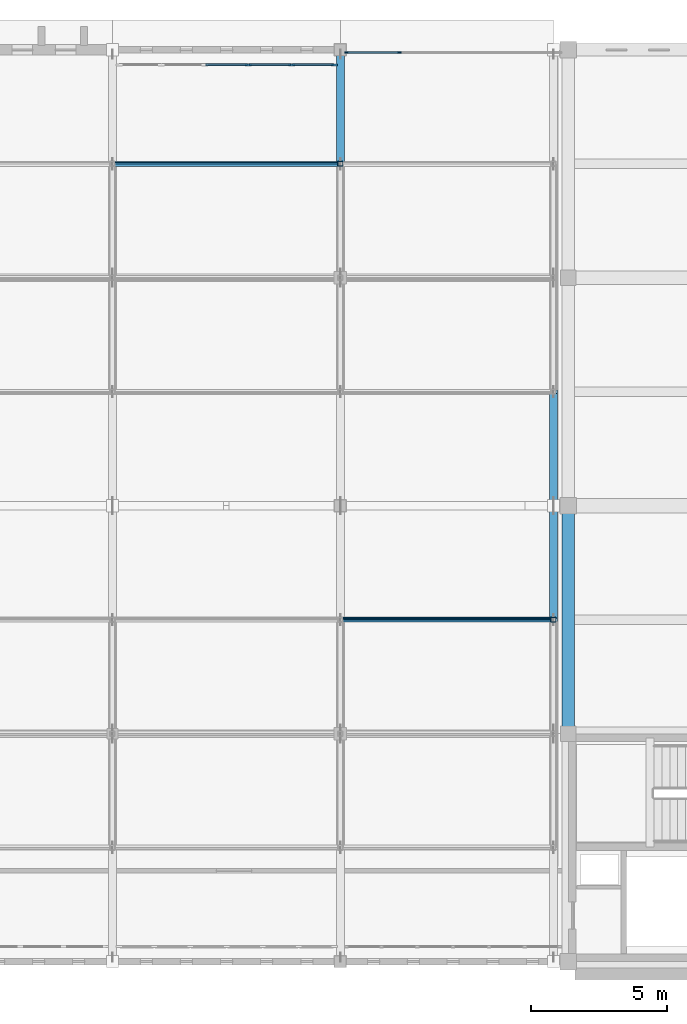
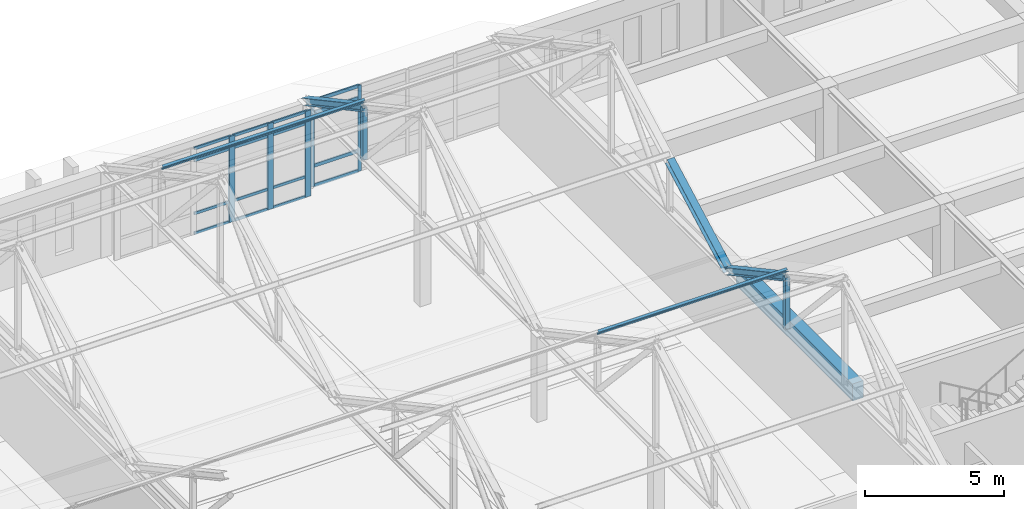
# One storey, part 39 of 110: 28 members, 1 beam, 2 elements without a shape of their own.
"""IFC4 building model written with IfcOpenShell, lengths in metres."""

from ifc_helpers import new_model, si_unit, direction, frame, origin, origin_2d, place, context, subcontext, project, spatial, rectangle, hollow_rectangle, i_section, extrude, material, layer, layer_set, material_profile, profile_set, type_object, element, aggregate, save


model = new_model("IFC4")

# Units and contexts
model_context = context("Model", 3, precision=1e-05, world=origin(), true_north=direction((0.0, 1.0)))
body_context = subcontext(model_context, "Body", "Model", "MODEL_VIEW")
ifc_project = project(units=[si_unit("LENGTHUNIT", "METRE"), si_unit("AREAUNIT", "SQUARE_METRE"), si_unit("VOLUMEUNIT", "CUBIC_METRE"), si_unit("PLANEANGLEUNIT", "RADIAN"), si_unit("MASSUNIT", "GRAM", prefix="KILO")], contexts=[model_context])

# Site, building, storey
site_placement = place(None, origin())
site = spatial("IfcSite", under=ifc_project, at=site_placement, CompositionType="ELEMENT")
building_placement = place(site_placement, origin())
building = spatial("IfcBuilding", under=site, at=building_placement, Name="Kveldsbrygga Polytechnic", CompositionType="ELEMENT")
storey_placement = place(building_placement, frame((0.0, 0.0, 9.860107421875)))
storey = spatial("IfcBuildingStorey", under=building, at=storey_placement, Name="L02", CompositionType="ELEMENT", Elevation=9.860107421875)

# Beam
ifc_material_1 = material(Name="Concrete C35/45", Category="concrete")
ifc_material_profile_1 = material_profile(ifc_material_1, rectangle(XDim=0.449951171875, YDim=0.75, at=origin_2d()), Name="RC 450x750")
ifc_profile_set_1 = profile_set([ifc_material_profile_1], Name="Concrete C35/45")
beam_type = type_object("IfcBeamType", Name="BM-RC-450x750", PredefinedType="BEAM", material=ifc_profile_set_1)
beam_placement = place(storey_placement, frame((100.800048828125, 92.39990234375, 3.375), z_axis=(0.0, 1.0, 0.0), x_axis=(-1.0, 0.0, 0.0)))
element("IfcBeam", 1, at=beam_placement, inside=storey, type_object=beam_type, Name="Primary Beam BMY-L02-12-11to12", PredefinedType="BEAM", context=body_context, shape_type="SweptSolid", body=[
    extrude(rectangle(XDim=0.449951171875, YDim=0.75, at=origin_2d()), origin(), (0.0, 0.0, 1.0), 8.400146484375),
])

# Curtain wall, members
ifc_material_2 = material(Name="Anodised aluminium AW-6060", Category="aluminium")
ifc_layer_1 = layer(ifc_material_2, 0.199951171875)
ifc_layer_set_1 = layer_set([ifc_layer_1], Name="Anodised aluminium AW-6060")
curtain_wall_type_1 = type_object("IfcCurtainWallType", Name="CW-LANC-E", PredefinedType="USERDEFINED", material=ifc_layer_set_1)
curtain_wall_1_placement = place(storey_placement, origin())
curtain_wall_1 = element("IfcCurtainWall", 2, at=curtain_wall_1_placement, inside=storey, type_object=curtain_wall_type_1, Name="Curtain Wall CW-L02-X-11-14", ObjectType="UNITISED CURTAIN WALL", PredefinedType="USERDEFINED")
ifc_material_profile_2 = material_profile(ifc_material_2, rectangle(XDim=0.06005859375, YDim=0.139892578125, at=origin_2d()), Name="ALU 60x140")
ifc_profile_set_2 = profile_set([ifc_material_profile_2], Name="Anodised aluminium AW-6060")
member_type_1 = type_object("IfcMemberType", Name="CW-MUL-140", PredefinedType="MULLION", material=ifc_profile_set_2)
member_1_placement = place(storey_placement, frame((92.625, 117.5, 0.0), z_axis=(0.0, 0.0, 1.0), x_axis=(0.0, 1.0, 0.0)))
member_1 = element("IfcMember", 3, at=member_1_placement, type_object=member_type_1, Name="CW-05 mullion 1", PredefinedType="MULLION", context=body_context, shape_type="SweptSolid", body=[
    extrude(rectangle(XDim=0.06005859375, YDim=0.139892578125, at=origin_2d()), origin(), (0.0, 0.0, 1.0), 3.77978515625),
])
member_2_placement = place(storey_placement, frame((94.574951171875, 117.5, 0.0), z_axis=(0.0, 0.0, 1.0), x_axis=(0.0, 1.0, 0.0)))
member_2 = element("IfcMember", 4, at=member_2_placement, type_object=member_type_1, Name="CW-05 mullion 2", PredefinedType="MULLION", context=body_context, shape_type="SweptSolid", body=[
    extrude(rectangle(XDim=0.06005859375, YDim=0.139892578125, at=origin_2d()), origin(), (0.0, 0.0, 1.0), 3.77978515625),
])

ifc_layer_2 = layer(ifc_material_2, 0.179931640625)
ifc_layer_set_2 = layer_set([ifc_layer_2], Name="Anodised aluminium AW-6060")
curtain_wall_type_2 = type_object("IfcCurtainWallType", Name="CW-LANC-D", PredefinedType="USERDEFINED", material=ifc_layer_set_2)
curtain_wall_2_placement = place(storey_placement, origin())
curtain_wall_2 = element("IfcCurtainWall", 5, at=curtain_wall_2_placement, inside=storey, type_object=curtain_wall_type_2, Name="Curtain Wall CW-L02-X-10-14", ObjectType="UNITISED CURTAIN WALL", PredefinedType="USERDEFINED")
ifc_material_profile_3 = material_profile(ifc_material_2, rectangle(XDim=0.074951171875, YDim=0.239990234375, at=origin_2d()), Name="ALU 75x240")
ifc_profile_set_3 = profile_set([ifc_material_profile_3], Name="Anodised aluminium AW-6060")
member_type_2 = type_object("IfcMemberType", Name="CW-MUL-240", PredefinedType="MULLION", material=ifc_profile_set_3)
member_3_placement = place(storey_placement, frame((89.007080078125, 117.050048828125, 0.0), z_axis=(0.0, 0.0, 1.0), x_axis=(0.0, 1.0, 0.0)))
member_3 = element("IfcMember", 6, at=member_3_placement, type_object=member_type_2, Name="CW-04 mullion 4", PredefinedType="MULLION", context=body_context, shape_type="SweptSolid", body=[
    extrude(rectangle(XDim=0.074951171875, YDim=0.239990234375, at=origin_2d()), origin(), (0.0, 0.0, 1.0), 3.77978515625),
])
member_4_placement = place(storey_placement, frame((90.60595703125, 117.050048828125, 0.0), z_axis=(0.0, 0.0, 1.0), x_axis=(0.0, 1.0, 0.0)))
member_4 = element("IfcMember", 7, at=member_4_placement, type_object=member_type_2, Name="CW-04 mullion 5", PredefinedType="MULLION", context=body_context, shape_type="SweptSolid", body=[
    extrude(rectangle(XDim=0.074951171875, YDim=0.239990234375, at=origin_2d()), origin(), (0.0, 0.0, 1.0), 3.77978515625),
])
member_5_placement = place(storey_placement, frame((92.16748046875, 117.050048828125, 0.0), z_axis=(0.0, 0.0, 1.0), x_axis=(0.0, 1.0, 0.0)))
member_5 = element("IfcMember", 8, at=member_5_placement, type_object=member_type_2, Name="CW-04 mullion 6", PredefinedType="MULLION", context=body_context, shape_type="SweptSolid", body=[
    extrude(rectangle(XDim=0.074951171875, YDim=0.239990234375, at=origin_2d()), origin(), (0.0, 0.0, 1.0), 3.77978515625),
])
ifc_material_profile_4 = material_profile(ifc_material_2, rectangle(XDim=0.06005859375, YDim=0.1201171875, at=origin_2d()), Name="ALU 60x120")
ifc_profile_set_4 = profile_set([ifc_material_profile_4], Name="Anodised aluminium AW-6060")
member_type_3 = type_object("IfcMemberType", Name="CW-TRN-120", PredefinedType="USERDEFINED", material=ifc_profile_set_4)
member_6_placement = place(storey_placement, frame((87.445556640625, 117.050048828125, 0.02978515625), z_axis=(1.0, 0.0, 0.0), x_axis=(0.0, 1.0, 0.0)))
member_6 = element("IfcMember", 9, at=member_6_placement, type_object=member_type_3, Name="CW-04 transom 3.1", ObjectType="TRANSOM", PredefinedType="USERDEFINED", context=body_context, shape_type="SweptSolid", body=[
    extrude(rectangle(XDim=0.06005859375, YDim=0.1201171875, at=origin_2d()), origin(), (0.0, 0.0, 1.0), 1.52392578125),
])
member_7_placement = place(storey_placement, frame((87.445556640625, 117.050048828125, 0.89990234375), z_axis=(1.0, 0.0, 0.0), x_axis=(0.0, 1.0, 0.0)))
member_7 = element("IfcMember", 10, at=member_7_placement, type_object=member_type_3, Name="CW-04 transom 3.2", ObjectType="TRANSOM", PredefinedType="USERDEFINED", context=body_context, shape_type="SweptSolid", body=[
    extrude(rectangle(XDim=0.06005859375, YDim=0.1201171875, at=origin_2d()), origin(), (0.0, 0.0, 1.0), 1.52392578125),
])
member_8_placement = place(storey_placement, frame((87.445556640625, 117.050048828125, 3.22998046875), z_axis=(1.0, 0.0, 0.0), x_axis=(0.0, 1.0, 0.0)))
member_8 = element("IfcMember", 11, at=member_8_placement, type_object=member_type_3, Name="CW-04 transom 3.3", ObjectType="TRANSOM", PredefinedType="USERDEFINED", context=body_context, shape_type="SweptSolid", body=[
    extrude(rectangle(XDim=0.06005859375, YDim=0.1201171875, at=origin_2d()), origin(), (0.0, 0.0, 1.0), 1.52392578125),
])
member_9_placement = place(storey_placement, frame((87.445556640625, 117.050048828125, 3.75), z_axis=(1.0, 0.0, 0.0), x_axis=(0.0, 1.0, 0.0)))
member_9 = element("IfcMember", 12, at=member_9_placement, type_object=member_type_3, Name="CW-04 transom 3.4", ObjectType="TRANSOM", PredefinedType="USERDEFINED", context=body_context, shape_type="SweptSolid", body=[
    extrude(rectangle(XDim=0.06005859375, YDim=0.1201171875, at=origin_2d()), origin(), (0.0, 0.0, 1.0), 1.52392578125),
])
member_10_placement = place(storey_placement, frame((89.04443359375, 117.050048828125, 0.02978515625), z_axis=(1.0, 0.0, 0.0), x_axis=(0.0, 1.0, 0.0)))
member_10 = element("IfcMember", 13, at=member_10_placement, type_object=member_type_3, Name="CW-04 transom 4.1", ObjectType="TRANSOM", PredefinedType="USERDEFINED", context=body_context, shape_type="SweptSolid", body=[
    extrude(rectangle(XDim=0.06005859375, YDim=0.1201171875, at=origin_2d()), origin(), (0.0, 0.0, 1.0), 1.524169921875),
])
member_11_placement = place(storey_placement, frame((89.04443359375, 117.050048828125, 0.89990234375), z_axis=(1.0, 0.0, 0.0), x_axis=(0.0, 1.0, 0.0)))
member_11 = element("IfcMember", 14, at=member_11_placement, type_object=member_type_3, Name="CW-04 transom 4.2", ObjectType="TRANSOM", PredefinedType="USERDEFINED", context=body_context, shape_type="SweptSolid", body=[
    extrude(rectangle(XDim=0.06005859375, YDim=0.1201171875, at=origin_2d()), origin(), (0.0, 0.0, 1.0), 1.524169921875),
])
member_12_placement = place(storey_placement, frame((89.04443359375, 117.050048828125, 3.22998046875), z_axis=(1.0, 0.0, 0.0), x_axis=(0.0, 1.0, 0.0)))
member_12 = element("IfcMember", 15, at=member_12_placement, type_object=member_type_3, Name="CW-04 transom 4.3", ObjectType="TRANSOM", PredefinedType="USERDEFINED", context=body_context, shape_type="SweptSolid", body=[
    extrude(rectangle(XDim=0.06005859375, YDim=0.1201171875, at=origin_2d()), origin(), (0.0, 0.0, 1.0), 1.524169921875),
])
member_13_placement = place(storey_placement, frame((89.04443359375, 117.050048828125, 3.75), z_axis=(1.0, 0.0, 0.0), x_axis=(0.0, 1.0, 0.0)))
member_13 = element("IfcMember", 16, at=member_13_placement, type_object=member_type_3, Name="CW-04 transom 4.4", ObjectType="TRANSOM", PredefinedType="USERDEFINED", context=body_context, shape_type="SweptSolid", body=[
    extrude(rectangle(XDim=0.06005859375, YDim=0.1201171875, at=origin_2d()), origin(), (0.0, 0.0, 1.0), 1.524169921875),
])
member_14_placement = place(storey_placement, frame((90.6435546875, 117.050048828125, 0.02978515625), z_axis=(1.0, 0.0, 0.0), x_axis=(0.0, 1.0, 0.0)))
member_14 = element("IfcMember", 17, at=member_14_placement, type_object=member_type_3, Name="CW-04 transom 5.1", ObjectType="TRANSOM", PredefinedType="USERDEFINED", context=body_context, shape_type="SweptSolid", body=[
    extrude(rectangle(XDim=0.06005859375, YDim=0.1201171875, at=origin_2d()), origin(), (0.0, 0.0, 1.0), 1.486328125),
])
member_15_placement = place(storey_placement, frame((90.6435546875, 117.050048828125, 0.89990234375), z_axis=(1.0, 0.0, 0.0), x_axis=(0.0, 1.0, 0.0)))
member_15 = element("IfcMember", 18, at=member_15_placement, type_object=member_type_3, Name="CW-04 transom 5.2", ObjectType="TRANSOM", PredefinedType="USERDEFINED", context=body_context, shape_type="SweptSolid", body=[
    extrude(rectangle(XDim=0.06005859375, YDim=0.1201171875, at=origin_2d()), origin(), (0.0, 0.0, 1.0), 1.486328125),
])
member_16_placement = place(storey_placement, frame((90.6435546875, 117.050048828125, 3.22998046875), z_axis=(1.0, 0.0, 0.0), x_axis=(0.0, 1.0, 0.0)))
member_16 = element("IfcMember", 19, at=member_16_placement, type_object=member_type_3, Name="CW-04 transom 5.3", ObjectType="TRANSOM", PredefinedType="USERDEFINED", context=body_context, shape_type="SweptSolid", body=[
    extrude(rectangle(XDim=0.06005859375, YDim=0.1201171875, at=origin_2d()), origin(), (0.0, 0.0, 1.0), 1.486328125),
])
member_17_placement = place(storey_placement, frame((90.6435546875, 117.050048828125, 3.75), z_axis=(1.0, 0.0, 0.0), x_axis=(0.0, 1.0, 0.0)))
member_17 = element("IfcMember", 20, at=member_17_placement, type_object=member_type_3, Name="CW-04 transom 5.4", ObjectType="TRANSOM", PredefinedType="USERDEFINED", context=body_context, shape_type="SweptSolid", body=[
    extrude(rectangle(XDim=0.06005859375, YDim=0.1201171875, at=origin_2d()), origin(), (0.0, 0.0, 1.0), 1.486328125),
])
aggregate(curtain_wall_2, [member_3, member_4, member_5, member_6, member_7, member_8, member_9, member_10, member_11, member_12, member_13, member_14, member_15, member_16, member_17])

# Member
ifc_material_profile_5 = material_profile(ifc_material_2, rectangle(XDim=0.06005859375, YDim=0.14990234375, at=origin_2d()), Name="ALU 60x150")
ifc_profile_set_5 = profile_set([ifc_material_profile_5], Name="Anodised aluminium AW-6060")
member_type_4 = type_object("IfcMemberType", Name="CW-TRN-150", PredefinedType="USERDEFINED", material=ifc_profile_set_5)
member_18_placement = place(storey_placement, frame((92.655029296875, 117.5, 0.02978515625), z_axis=(1.0, 0.0, 0.0), x_axis=(0.0, 1.0, 0.0)))
member_18 = element("IfcMember", 21, at=member_18_placement, type_object=member_type_4, Name="CW-05 transom 1.1", ObjectType="TRANSOM", PredefinedType="USERDEFINED", context=body_context, shape_type="SweptSolid", body=[
    extrude(rectangle(XDim=0.06005859375, YDim=0.14990234375, at=origin_2d()), origin(), (0.0, 0.0, 1.0), 1.889892578125),
])

member_19_placement = place(storey_placement, frame((92.655029296875, 117.5, 0.89990234375), z_axis=(1.0, 0.0, 0.0), x_axis=(0.0, 1.0, 0.0)))
member_19 = element("IfcMember", 22, at=member_19_placement, type_object=member_type_4, Name="CW-05 transom 1.2", ObjectType="TRANSOM", PredefinedType="USERDEFINED", context=body_context, shape_type="SweptSolid", body=[
    extrude(rectangle(XDim=0.06005859375, YDim=0.14990234375, at=origin_2d()), origin(), (0.0, 0.0, 1.0), 1.889892578125),
])

member_20_placement = place(storey_placement, frame((92.655029296875, 117.5, 3.22998046875), z_axis=(1.0, 0.0, 0.0), x_axis=(0.0, 1.0, 0.0)))
member_20 = element("IfcMember", 23, at=member_20_placement, type_object=member_type_4, Name="CW-05 transom 1.3", ObjectType="TRANSOM", PredefinedType="USERDEFINED", context=body_context, shape_type="SweptSolid", body=[
    extrude(rectangle(XDim=0.06005859375, YDim=0.14990234375, at=origin_2d()), origin(), (0.0, 0.0, 1.0), 1.889892578125),
])

member_21_placement = place(storey_placement, frame((92.655029296875, 117.5, 3.75), z_axis=(1.0, 0.0, 0.0), x_axis=(0.0, 1.0, 0.0)))
member_21 = element("IfcMember", 24, at=member_21_placement, type_object=member_type_4, Name="CW-05 transom 1.4", ObjectType="TRANSOM", PredefinedType="USERDEFINED", context=body_context, shape_type="SweptSolid", body=[
    extrude(rectangle(XDim=0.06005859375, YDim=0.14990234375, at=origin_2d()), origin(), (0.0, 0.0, 1.0), 1.889892578125),
])

aggregate(curtain_wall_1, [member_1, member_2, member_18, member_19, member_20, member_21])

# Members
ifc_material_3 = material(Name="Steel S355", Category="steel")
ifc_material_profile_6 = material_profile(ifc_material_3, i_section(OverallWidth=0.10009765625, OverallDepth=0.199951171875, WebThickness=0.005615234375, FlangeThickness=0.008544921875, FilletRadius=0.011962890625, at=origin_2d()), Name="IPE 200")
ifc_profile_set_6 = profile_set([ifc_material_profile_6], Name="Steel S355")
member_type_5 = type_object("IfcMemberType", Name="PRL-IPE200", PredefinedType="PURLIN", material=ifc_profile_set_6)
member_22_placement = place(storey_placement, frame((92.39990234375, 96.60009765625, 6.33349609375), z_axis=(1.0, 0.0, 0.0), x_axis=(0.0, 0.879292204483, 0.476282709256)))
element("IfcMember", 25, at=member_22_placement, inside=storey, type_object=member_type_5, Name="Roof Purlin V2L1-PRL-7-3", PredefinedType="PURLIN", context=body_context, shape_type="SweptSolid", body=[
    extrude(i_section(OverallWidth=0.10009765625, OverallDepth=0.199951171875, WebThickness=0.005615234375, FlangeThickness=0.008544921875, FilletRadius=0.011962890625, at=origin_2d()), origin(), (0.0, 0.0, 1.0), 7.85009765625),
])
member_23_placement = place(storey_placement, frame((84.0, 113.39990234375, 6.33349609375), z_axis=(1.0, 0.0, 0.0), x_axis=(0.0, 0.879292204483, 0.476282709256)))
element("IfcMember", 26, at=member_23_placement, inside=storey, type_object=member_type_5, Name="Roof Purlin V2L2-PRL-6-3", PredefinedType="PURLIN", context=body_context, shape_type="SweptSolid", body=[
    extrude(i_section(OverallWidth=0.10009765625, OverallDepth=0.199951171875, WebThickness=0.005615234375, FlangeThickness=0.008544921875, FilletRadius=0.011962890625, at=origin_2d()), origin(), (0.0, 0.0, 1.0), 8.39990234375),
])
ifc_material_profile_7 = material_profile(ifc_material_3, hollow_rectangle(XDim=0.179931640625, YDim=0.179931640625, WallThickness=0.010009765625, at=origin_2d()), Name="SHS 180x180x10.0")
ifc_profile_set_7 = profile_set([ifc_material_profile_7], Name="Steel S355")
member_type_6 = type_object("IfcMemberType", Name="TR-POST-SHS180", PredefinedType="STRUT", material=ifc_profile_set_7)
for number, where, z_axis, x_axis, name in (
    (27, (100.25, 96.60009765625, 3.77978515625), (0.0, 0.0, 1.0), (1.0, 0.0, 0.0), "Truss Vertical V2L1-T08-VT-3"),
    (28, (92.39990234375, 113.39990234375, 3.77978515625), (0.0, 0.0, 1.0), (1.0, 0.0, 0.0), "Truss Vertical V2L2-T07-VT-3"),
):
    element("IfcMember", number, at=place(storey_placement, frame(where, z_axis=z_axis, x_axis=x_axis)), inside=storey, type_object=member_type_6, Name=name, PredefinedType="STRUT", context=body_context, shape_type="SweptSolid", body=[
        extrude(hollow_rectangle(XDim=0.179931640625, YDim=0.179931640625, WallThickness=0.010009765625, at=origin_2d()), origin(), (0.0, 0.0, 1.0), 2.275146484375),
    ])
ifc_material_profile_8 = material_profile(ifc_material_3, i_section(OverallWidth=0.300048828125, OverallDepth=0.2900390625, WebThickness=0.008544921875, FlangeThickness=0.013916015625, FilletRadius=0.027099609375, at=origin_2d()), Name="HEA 300")
ifc_profile_set_8 = profile_set([ifc_material_profile_8], Name="Steel S355")
member_type_7 = type_object("IfcMemberType", Name="TR-TOP-HEA300", PredefinedType="CHORD", material=ifc_profile_set_8)
member_24_placement = place(storey_placement, frame((100.25, 96.60009765625, 6.054931640625), z_axis=(0.0, 0.879276804059, -0.476311139744), x_axis=(-1.0, 0.0, 0.0)))
element("IfcMember", 29, at=member_24_placement, inside=storey, type_object=member_type_7, Name="Truss Top Chord V2L1-T08-TC-4", PredefinedType="CHORD", context=body_context, shape_type="SweptSolid", body=[
    extrude(i_section(OverallWidth=0.300048828125, OverallDepth=0.2900390625, WebThickness=0.008544921875, FlangeThickness=0.013916015625, FilletRadius=0.027099609375, at=origin_2d()), origin(), (0.0, 0.0, 1.0), 4.776611328125),
])
member_25_placement = place(storey_placement, frame((92.39990234375, 113.39990234375, 6.054931640625), z_axis=(0.0, 0.879288399135, -0.476289734454), x_axis=(-1.0, 0.0, 0.0)))
element("IfcMember", 30, at=member_25_placement, inside=storey, type_object=member_type_7, Name="Truss Top Chord V2L2-T07-TC-4", PredefinedType="CHORD", context=body_context, shape_type="SweptSolid", body=[
    extrude(i_section(OverallWidth=0.300048828125, OverallDepth=0.2900390625, WebThickness=0.008544921875, FlangeThickness=0.013916015625, FilletRadius=0.027099609375, at=origin_2d()), origin(), (0.0, 0.0, 1.0), 4.77685546875),
])
member_26_placement = place(storey_placement, frame((100.25, 100.800048828125, 3.77978515625), z_axis=(0.0, 0.879276804059, 0.476311139744), x_axis=(-1.0, 0.0, 0.0)))
element("IfcMember", 31, at=member_26_placement, inside=storey, type_object=member_type_7, Name="Truss Top Chord V2L2-T08-TC-1", PredefinedType="CHORD", context=body_context, shape_type="SweptSolid", body=[
    extrude(i_section(OverallWidth=0.300048828125, OverallDepth=0.2900390625, WebThickness=0.008544921875, FlangeThickness=0.013916015625, FilletRadius=0.027099609375, at=origin_2d()), origin(), (0.0, 0.0, 1.0), 4.776611328125),
])

save(model, "model.ifc")
